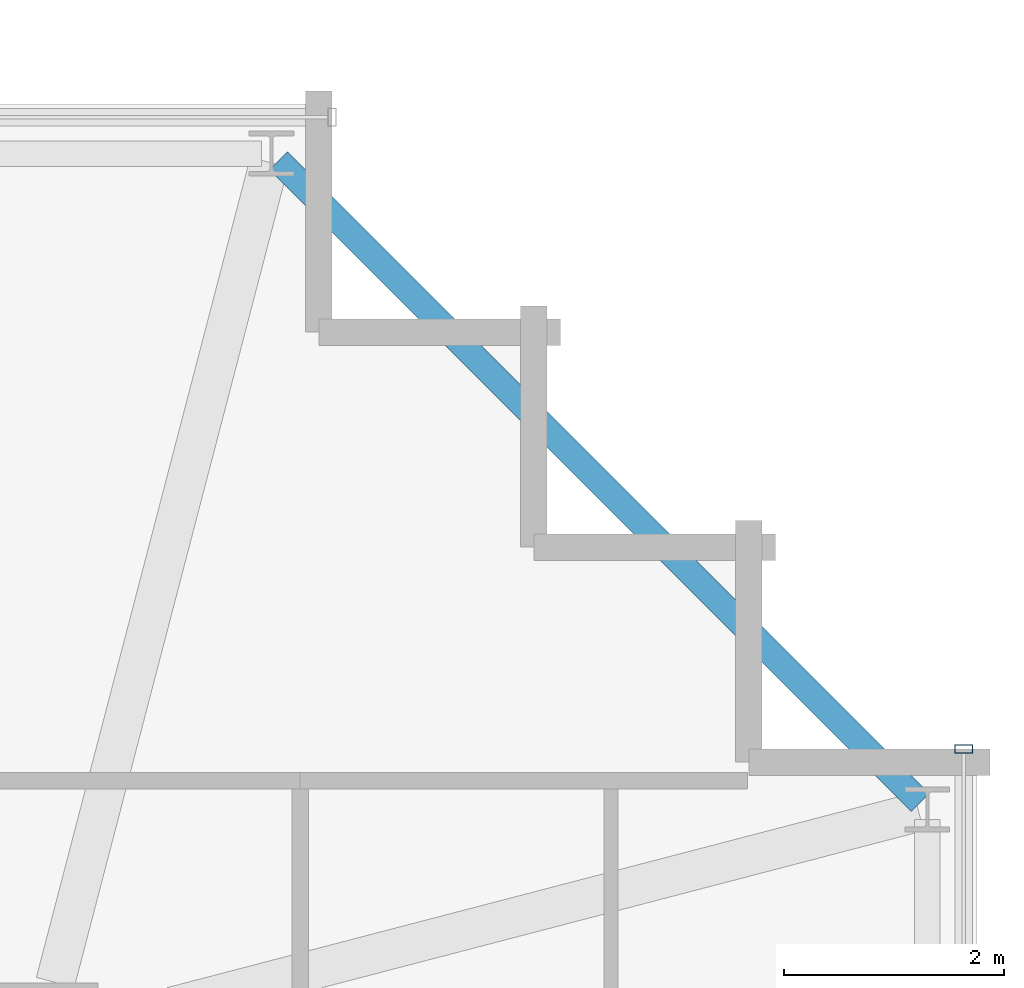
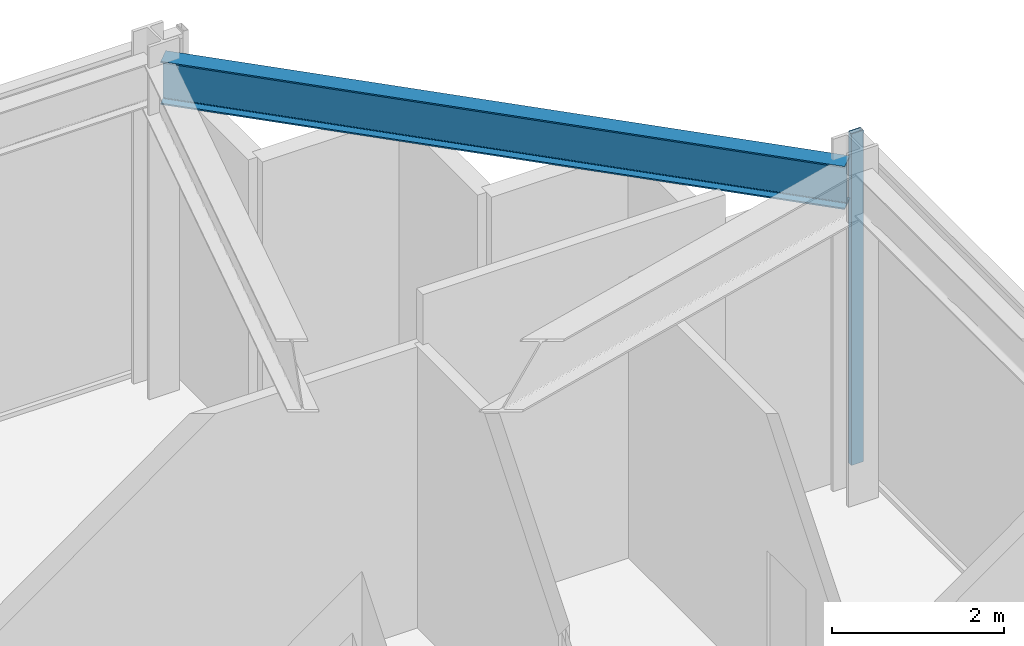
# One storey, part 20 of 31: 1 beam, 1 member, 1 element without a shape of its own.
"""IFC4 building model written with IfcOpenShell, lengths in metres."""

from ifc_helpers import new_model, si_unit, direction, frame, origin, origin_2d, place, context, subcontext, project, spatial, hollow_rectangle, i_section, extrude, material, material_profile, profile_set, type_object, element, aggregate, save


model = new_model("IFC4")

# Units and contexts
model_context = context("Model", 3, precision=1e-05, world=origin(), true_north=direction((0.0, 1.0)))
body_context = subcontext(model_context, "Body", "Model", "MODEL_VIEW")
ifc_project = project(units=[si_unit("LENGTHUNIT", "METRE"), si_unit("AREAUNIT", "SQUARE_METRE"), si_unit("VOLUMEUNIT", "CUBIC_METRE"), si_unit("PLANEANGLEUNIT", "RADIAN"), si_unit("MASSUNIT", "GRAM", prefix="KILO")], contexts=[model_context])

# Site, building, storey
site_placement = place(None, origin())
site = spatial("IfcSite", under=ifc_project, at=site_placement, CompositionType="ELEMENT")
building_placement = place(site_placement, origin())
building = spatial("IfcBuilding", under=site, at=building_placement, Name="Kolvaren Belvedere", CompositionType="ELEMENT")
storey_placement = place(building_placement, frame((0.0, 0.0, 267.39990234375)))
storey = spatial("IfcBuildingStorey", under=building, at=storey_placement, Name="L77", CompositionType="ELEMENT", Elevation=267.39990234375)

# Beam
ifc_material_1 = material(Name="Structural steel ASTM A992 Grade 50", Category="steel")
ifc_material_profile_1 = material_profile(ifc_material_1, i_section(OverallWidth=0.22900390625, OverallDepth=0.612060546875, WebThickness=0.011962890625, FlangeThickness=0.01953125, FilletRadius=0.01806640625, at=origin_2d()), Name="W24X84")
ifc_profile_set_1 = profile_set([ifc_material_profile_1], Name="Structural steel ASTM A992 Grade 50")
beam_type = type_object("IfcBeamType", Name="BM-SPAN-W24X84", PredefinedType="SPANDREL", material=ifc_profile_set_1)
beam_placement = place(storey_placement, frame((17.88525390625, 12.064697265625, 4.39404296875), z_axis=(-0.707106781187, 0.707106781187, 0.0), x_axis=(-0.707106781187, -0.707106781187, 0.0)))
element("IfcBeam", 1, at=beam_placement, inside=storey, type_object=beam_type, Name="L77 Perimeter Spandrel E4-N4", PredefinedType="SPANDREL", context=body_context, shape_type="SweptSolid", body=[
    extrude(i_section(OverallWidth=0.22900390625, OverallDepth=0.612060546875, WebThickness=0.011962890625, FlangeThickness=0.01953125, FilletRadius=0.01806640625, at=origin_2d()), origin(), (0.0, 0.0, 1.0), 8.2314453125),
])

# Curtain wall, member
ifc_material_2 = material(Name="Anodised pale-metal aluminium AA 6063-T6", Category="aluminium")
curtain_wall_type = type_object("IfcCurtainWallType", Name="CW-CRN-OBS", PredefinedType="NOTDEFINED", material=ifc_material_2)
curtain_wall_placement = place(storey_placement, origin())
curtain_wall = element("IfcCurtainWall", 2, at=curtain_wall_placement, inside=storey, type_object=curtain_wall_type, Name="L77 Unitised Curtain Wall FCW-L77-E", PredefinedType="NOTDEFINED")
ifc_material_3 = material(Name="Anodised pale-metal aluminium AA 6063-T6", Category="aluminium")
ifc_material_profile_2 = material_profile(ifc_material_3, hollow_rectangle(XDim=0.074951171875, YDim=0.159912109375, WallThickness=0.00439453125, at=origin_2d()), Name="ALU-MUL-160X75")
ifc_profile_set_2 = profile_set([ifc_material_profile_2], Name="Anodised pale-metal aluminium AA 6063-T6")
member_type = type_object("IfcMemberType", Name="CW-MUL-160", PredefinedType="MULLION", material=ifc_profile_set_2)
member_placement = place(storey_placement, frame((18.280029296875, 12.550048828125, 0.0), z_axis=(0.0, 0.0, 1.0), x_axis=(0.0, 1.0, 0.0)))
member = element("IfcMember", 3, at=member_placement, type_object=member_type, Name="FCW-L77-E Unitised Mullion 1", PredefinedType="MULLION", context=body_context, shape_type="SweptSolid", body=[
    extrude(hollow_rectangle(XDim=0.074951171875, YDim=0.159912109375, WallThickness=0.00439453125, at=origin_2d()), origin(), (0.0, 0.0, 1.0), 4.7001953125),
])
aggregate(curtain_wall, [member])

save(model, "model.ifc")
